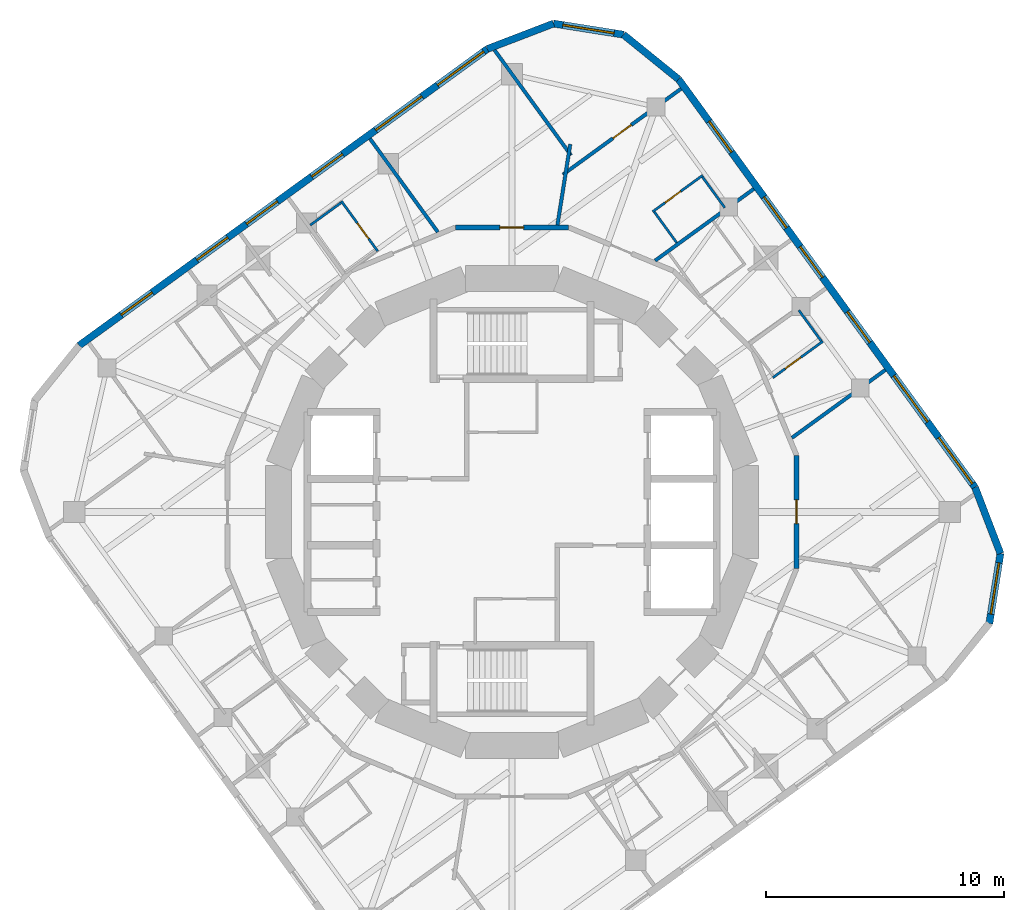
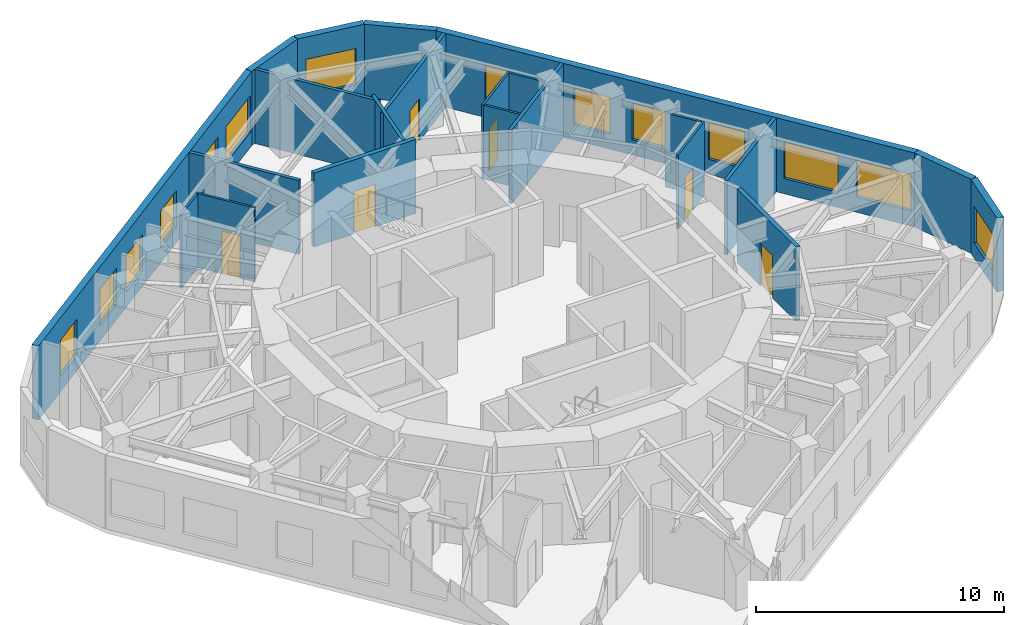
# One storey, part 7 of 9: 22 walls, 14 windows, 6 doors, 20 openings.
"""IFC4 building model written with IfcOpenShell, lengths in metres."""

from ifc_helpers import new_model, si_unit, direction, frame, frame_2d, origin, place, context, subcontext, project, spatial, rectangle, extrude, material, layer, layer_set, type_object, element, fill, save


model = new_model("IFC4")

# Units and contexts
model_context = context("Model", 3, precision=1e-05, world=origin(), true_north=direction((0.0, 1.0)))
body_context = subcontext(model_context, "Body", "Model", "MODEL_VIEW")
ifc_project = project(units=[si_unit("LENGTHUNIT", "METRE"), si_unit("AREAUNIT", "SQUARE_METRE"), si_unit("VOLUMEUNIT", "CUBIC_METRE"), si_unit("PLANEANGLEUNIT", "RADIAN"), si_unit("MASSUNIT", "GRAM", prefix="KILO")], contexts=[model_context])

# Site, building, storey
site_placement = place(None, origin())
site = spatial("IfcSite", under=ifc_project, at=site_placement, CompositionType="ELEMENT")
building_placement = place(site_placement, origin())
building = spatial("IfcBuilding", under=site, at=building_placement, Name="Nakasero Lantern House", CompositionType="ELEMENT")
storey_placement = place(building_placement, frame((0.0, 0.0, 267.60009765625)))
storey = spatial("IfcBuildingStorey", under=building, at=storey_placement, Name="L65", CompositionType="ELEMENT", Elevation=267.60009765625)

# Wall, opening, door
ifc_material_1 = material(Name="Blockwork", Category="masonry")
ifc_layer_1 = layer(ifc_material_1, 0.199951171875)
ifc_layer_set_1 = layer_set([ifc_layer_1], Name="Corridor wall 200")
wall_type_1 = type_object("IfcWallType", Name="Corridor wall 200", PredefinedType="PARTITIONING", material=ifc_layer_set_1)
wall_1_placement = place(storey_placement, frame((11.957763671875, 2.378662109375, 0.0), z_axis=(0.0, 0.0, 1.0), x_axis=(0.0, -1.0, 0.0)))
wall_1 = element("IfcWall", 1, at=wall_1_placement, inside=storey, type_object=wall_type_1, Name="Corridor wall L65 RC00a", PredefinedType="PARTITIONING", context=body_context, shape_type="SweptSolid", body=[
    extrude(rectangle(XDim=4.75732421875, YDim=0.199951171875, at=frame_2d((2.378662109375, 0.0))), origin(), (0.0, 0.0, 1.0), 3.64990234375),
])
opening_1_placement = place(wall_1_placement, frame((1.8701171875, 0.0, 0.0)))
opening_1 = element("IfcOpeningElement", 2, at=opening_1_placement, cuts=wall_1, Name="Opening D03", PredefinedType="OPENING", context=body_context, shape_type="SweptSolid", body=[
    extrude(rectangle(XDim=1.0, YDim=2.10009765625, at=frame_2d((0.5, 1.050048828125))), frame((0.0, 0.119873046875, 0.0), z_axis=(0.0, -1.0, 0.0), x_axis=(1.0, 0.0, 0.0)), (0.0, 0.0, 1.0), 0.239990234375),
])
ifc_material_2 = material(Name="Timber C24", Category="wood")
door_type_1 = type_object("IfcDoorType", Name="Lounge door FD30S 1000", OperationType="SINGLE_SWING_LEFT", PredefinedType="DOOR", material=ifc_material_2)
door_1_placement = place(opening_1_placement, origin())
door_1 = element("IfcDoor", 3, at=door_1_placement, inside=storey, type_object=door_type_1, Name="Door L65 DK0", OperationType="SINGLE_SWING_LEFT", OverallHeight=2.10009765625, OverallWidth=1.0, PredefinedType="DOOR", context=body_context, shape_type="SweptSolid", body=[
    extrude(rectangle(XDim=1.0, YDim=2.10009765625, at=frame_2d((0.5, 1.050048828125))), frame((0.0, 0.02490234375, 0.0), z_axis=(0.0, -1.0, 0.0), x_axis=(1.0, 0.0, 0.0)), (0.0, 0.0, 1.0), 0.050048828125),
])
fill(opening_1, door_1)

wall_2_placement = place(storey_placement, frame((-2.378662109375, 11.957763671875, 0.0), z_axis=(0.0, 0.0, 1.0), x_axis=(1.0, 0.0, 0.0)))
wall_2 = element("IfcWall", 4, at=wall_2_placement, inside=storey, type_object=wall_type_1, Name="Corridor wall L65 RC12a", PredefinedType="PARTITIONING", context=body_context, shape_type="SweptSolid", body=[
    extrude(rectangle(XDim=4.75732421875, YDim=0.199951171875, at=frame_2d((2.378662109375, 0.0))), origin(), (0.0, 0.0, 1.0), 3.64990234375),
])
opening_2_placement = place(wall_2_placement, frame((1.8701171875, 0.0, 0.0)))
opening_2 = element("IfcOpeningElement", 5, at=opening_2_placement, cuts=wall_2, Name="Opening D03", PredefinedType="OPENING", context=body_context, shape_type="SweptSolid", body=[
    extrude(rectangle(XDim=1.0, YDim=2.10009765625, at=frame_2d((0.5, 1.050048828125))), frame((0.0, 0.119873046875, 0.0), z_axis=(0.0, -1.0, 0.0), x_axis=(1.0, 0.0, 0.0)), (0.0, 0.0, 1.0), 0.239990234375),
])
door_2_placement = place(opening_2_placement, origin())
door_2 = element("IfcDoor", 6, at=door_2_placement, inside=storey, type_object=door_type_1, Name="Door L65 DK1", OperationType="SINGLE_SWING_LEFT", OverallHeight=2.10009765625, OverallWidth=1.0, PredefinedType="DOOR", context=body_context, shape_type="SweptSolid", body=[
    extrude(rectangle(XDim=1.0, YDim=2.10009765625, at=frame_2d((0.5, 1.050048828125))), frame((0.0, 0.02490234375, 0.0), z_axis=(0.0, -1.0, 0.0), x_axis=(1.0, 0.0, 0.0)), (0.0, 0.0, 1.0), 0.050048828125),
])
fill(opening_2, door_2)

ifc_material_3 = material(Name="Blockwork", Category="masonry")
ifc_layer_2 = layer(ifc_material_3, 0.10009765625)
ifc_layer_set_2 = layer_set([ifc_layer_2], Name="En-suite wall 100")
wall_type_2 = type_object("IfcWallType", Name="En-suite wall 100", PredefinedType="PARTITIONING", material=ifc_layer_set_2)
wall_3_placement = place(storey_placement, frame((10.960693359375, 5.643798828125, 0.0), z_axis=(0.0, 0.0, 1.0), x_axis=(0.80902431253, 0.587775179585, 0.0)))
wall_3 = element("IfcWall", 7, at=wall_3_placement, inside=storey, type_object=wall_type_2, Name="En-suite wall L65 ES0-03", PredefinedType="PARTITIONING", context=body_context, shape_type="SweptSolid", body=[
    extrude(rectangle(XDim=2.599853515625, YDim=0.10009765625, at=frame_2d((1.2998046875, 0.0))), origin(), (0.0, 0.0, 1.0), 3.64990234375),
])
opening_3_placement = place(wall_3_placement, frame((0.64990234375, 0.0, 0.0)))
opening_3 = element("IfcOpeningElement", 8, at=opening_3_placement, cuts=wall_3, Name="Opening D02", PredefinedType="OPENING", context=body_context, shape_type="SweptSolid", body=[
    extrude(rectangle(XDim=0.800048828125, YDim=2.10009765625, at=frame_2d((0.39990234375, 1.050048828125))), frame((0.0, 0.070068359375, 0.0), z_axis=(0.0, -1.0, 0.0), x_axis=(1.0, 0.0, 0.0)), (0.0, 0.0, 1.0), 0.14013671875),
])
ifc_material_4 = material(Name="Timber C24", Category="wood")
door_type_2 = type_object("IfcDoorType", Name="En-suite door 800", OperationType="SINGLE_SWING_RIGHT", PredefinedType="DOOR", material=ifc_material_4)
door_3_placement = place(opening_3_placement, origin())
door_3 = element("IfcDoor", 9, at=door_3_placement, inside=storey, type_object=door_type_2, Name="Door L65 DE0-03", OperationType="SINGLE_SWING_LEFT", OverallHeight=2.10009765625, OverallWidth=0.800048828125, PredefinedType="DOOR", context=body_context, shape_type="SweptSolid", body=[
    extrude(rectangle(XDim=0.800048828125, YDim=2.10009765625, at=frame_2d((0.39990234375, 1.050048828125))), frame((0.0, 0.02490234375, 0.0), z_axis=(0.0, -1.0, 0.0), x_axis=(1.0, 0.0, 0.0)), (0.0, 0.0, 1.0), 0.050048828125),
])
fill(opening_3, door_3)

# Wall
wall_4_placement = place(storey_placement, frame((12.994140625, 7.18310546875, 0.0), z_axis=(0.0, 0.0, 1.0), x_axis=(-0.587772420479, 0.809026317077, 0.0)))
element("IfcWall", 10, at=wall_4_placement, inside=storey, type_object=wall_type_2, Name="En-suite wall L65 EE0-03", PredefinedType="PARTITIONING", context=body_context, shape_type="SweptSolid", body=[
    extrude(rectangle(XDim=1.60009765625, YDim=0.10009765625, at=frame_2d((0.800048828125, 0.0))), origin(), (0.0, 0.0, 1.0), 3.64990234375),
])

# Wall, opening, door
wall_5_placement = place(storey_placement, frame((5.91162109375, 12.619384765625, 0.0), z_axis=(0.0, 0.0, 1.0), x_axis=(0.809056752413, 0.587730526155, 0.0)))
wall_5 = element("IfcWall", 11, at=wall_5_placement, inside=storey, type_object=wall_type_2, Name="En-suite wall L65 ES0-06", PredefinedType="PARTITIONING", context=body_context, shape_type="SweptSolid", body=[
    extrude(rectangle(XDim=2.599853515625, YDim=0.10009765625, at=frame_2d((1.2998046875, 0.0))), origin(), (0.0, 0.0, 1.0), 3.64990234375),
])
opening_4_placement = place(wall_5_placement, frame((0.64990234375, 0.0, 0.0)))
opening_4 = element("IfcOpeningElement", 12, at=opening_4_placement, cuts=wall_5, Name="Opening D02", PredefinedType="OPENING", context=body_context, shape_type="SweptSolid", body=[
    extrude(rectangle(XDim=0.800048828125, YDim=2.10009765625, at=frame_2d((0.39990234375, 1.050048828125))), frame((0.0, 0.070068359375, 0.0), z_axis=(0.0, -1.0, 0.0), x_axis=(1.0, 0.0, 0.0)), (0.0, 0.0, 1.0), 0.14013671875),
])
door_4_placement = place(opening_4_placement, origin())
door_4 = element("IfcDoor", 13, at=door_4_placement, inside=storey, type_object=door_type_2, Name="Door L65 DE0-06", OperationType="SINGLE_SWING_LEFT", OverallHeight=2.10009765625, OverallWidth=0.800048828125, PredefinedType="DOOR", context=body_context, shape_type="SweptSolid", body=[
    extrude(rectangle(XDim=0.800048828125, YDim=2.10009765625, at=frame_2d((0.39990234375, 1.050048828125))), frame((0.0, 0.02490234375, 0.0), z_axis=(0.0, -1.0, 0.0), x_axis=(1.0, 0.0, 0.0)), (0.0, 0.0, 1.0), 0.050048828125),
])
fill(opening_4, door_4)

# Walls
for number, where, z_axis, x_axis, name in (
    (14, (8.9443359375, 12.783203125, 0.0), (0.0, 0.0, 1.0), (-0.587772420479, 0.809026317077, 0.0), "En-suite wall L65 EE0-06"),
    (15, (6.921875, 11.313720703125, 0.0), (0.0, 0.0, 1.0), (-0.587772420479, 0.809026317077, 0.0), "En-suite wall L65 EI0-06"),
):
    element("IfcWall", number, at=place(storey_placement, frame(where, z_axis=z_axis, x_axis=x_axis)), inside=storey, type_object=wall_type_2, Name=name, PredefinedType="PARTITIONING", context=body_context, shape_type="SweptSolid", body=[
        extrude(rectangle(XDim=1.60009765625, YDim=0.10009765625, at=frame_2d((0.800048828125, 0.0))), origin(), (0.0, 0.0, 1.0), 3.64990234375),
    ])

# Wall, opening, door
wall_6_placement = place(storey_placement, frame((-5.643798828125, 10.960693359375, 0.0), z_axis=(0.0, 0.0, 1.0), x_axis=(-0.587775179585, 0.80902431253, 0.0)))
wall_6 = element("IfcWall", 16, at=wall_6_placement, inside=storey, type_object=wall_type_2, Name="En-suite wall L65 ES1-03", PredefinedType="PARTITIONING", context=body_context, shape_type="SweptSolid", body=[
    extrude(rectangle(XDim=2.599853515625, YDim=0.10009765625, at=frame_2d((1.2998046875, 0.0))), origin(), (0.0, 0.0, 1.0), 3.64990234375),
])
opening_5_placement = place(wall_6_placement, frame((0.64990234375, 0.0, 0.0)))
opening_5 = element("IfcOpeningElement", 17, at=opening_5_placement, cuts=wall_6, Name="Opening D02", PredefinedType="OPENING", context=body_context, shape_type="SweptSolid", body=[
    extrude(rectangle(XDim=0.800048828125, YDim=2.10009765625, at=frame_2d((0.39990234375, 1.050048828125))), frame((0.0, 0.070068359375, 0.0), z_axis=(0.0, -1.0, 0.0), x_axis=(1.0, 0.0, 0.0)), (0.0, 0.0, 1.0), 0.14013671875),
])
door_5_placement = place(opening_5_placement, origin())
door_5 = element("IfcDoor", 18, at=door_5_placement, inside=storey, type_object=door_type_2, Name="Door L65 DE1-03", OperationType="SINGLE_SWING_LEFT", OverallHeight=2.10009765625, OverallWidth=0.800048828125, PredefinedType="DOOR", context=body_context, shape_type="SweptSolid", body=[
    extrude(rectangle(XDim=0.800048828125, YDim=2.10009765625, at=frame_2d((0.39990234375, 1.050048828125))), frame((0.0, 0.02490234375, 0.0), z_axis=(0.0, -1.0, 0.0), x_axis=(1.0, 0.0, 0.0)), (0.0, 0.0, 1.0), 0.050048828125),
])
fill(opening_5, door_5)

# Wall
wall_7_placement = place(storey_placement, frame((-7.18310546875, 12.994140625, 0.0), z_axis=(0.0, 0.0, 1.0), x_axis=(-0.809026317077, -0.587772420479, 0.0)))
element("IfcWall", 19, at=wall_7_placement, inside=storey, type_object=wall_type_2, Name="En-suite wall L65 EE1-03", PredefinedType="PARTITIONING", context=body_context, shape_type="SweptSolid", body=[
    extrude(rectangle(XDim=1.60009765625, YDim=0.10009765625, at=frame_2d((0.800048828125, 0.0))), origin(), (0.0, 0.0, 1.0), 3.64990234375),
])

# Wall, openings, windows
ifc_material_5 = material(Name="Aluminium rainscreen on blockwork", Category="masonry")
ifc_layer_3 = layer(ifc_material_5, 0.300048828125)
ifc_layer_set_3 = layer_set([ifc_layer_3], Name="Facade wall 300")
wall_type_3 = type_object("IfcWallType", Name="Facade wall 300", PredefinedType="SOLIDWALL", material=ifc_layer_set_3)
wall_8_placement = place(storey_placement, frame((19.4580078125, 1.03466796875, 0.0), z_axis=(0.0, 0.0, 1.0), x_axis=(-0.587790233451, 0.809013375328, 0.0)))
wall_8 = element("IfcWall", 20, at=wall_8_placement, inside=storey, type_object=wall_type_3, Name="Facade wall L65 FW0S", PredefinedType="SOLIDWALL", context=body_context, shape_type="SweptSolid", body=[
    extrude(rectangle(XDim=21.199951171875, YDim=0.300048828125, at=frame_2d((10.60009765625, 0.0))), origin(), (0.0, 0.0, 1.0), 3.64990234375),
])
opening_6_placement = place(wall_8_placement, frame((7.52783203125, 0.0, 0.75)))
opening_6 = element("IfcOpeningElement", 21, at=opening_6_placement, cuts=wall_8, Name="Opening W01", PredefinedType="OPENING", context=body_context, shape_type="SweptSolid", body=[
    extrude(rectangle(XDim=1.60009765625, YDim=1.800048828125, at=frame_2d((0.800048828125, 0.89990234375))), frame((0.0, 0.169921875, 0.0), z_axis=(0.0, -1.0, 0.0), x_axis=(1.0, 0.0, 0.0)), (0.0, 0.0, 1.0), 0.340087890625),
])
opening_7_placement = place(wall_8_placement, frame((10.904052734375, 0.0, 0.75)))
opening_7 = element("IfcOpeningElement", 22, at=opening_7_placement, cuts=wall_8, Name="Opening W01", PredefinedType="OPENING", context=body_context, shape_type="SweptSolid", body=[
    extrude(rectangle(XDim=1.60009765625, YDim=1.800048828125, at=frame_2d((0.800048828125, 0.89990234375))), frame((0.0, 0.169921875, 0.0), z_axis=(0.0, -1.0, 0.0), x_axis=(1.0, 0.0, 0.0)), (0.0, 0.0, 1.0), 0.340087890625),
])
opening_8_placement = place(wall_8_placement, frame((13.484619140625, 0.0, 0.75)))
opening_8 = element("IfcOpeningElement", 23, at=opening_8_placement, cuts=wall_8, Name="Opening W01", PredefinedType="OPENING", context=body_context, shape_type="SweptSolid", body=[
    extrude(rectangle(XDim=1.60009765625, YDim=1.800048828125, at=frame_2d((0.800048828125, 0.89990234375))), frame((0.0, 0.169921875, 0.0), z_axis=(0.0, -1.0, 0.0), x_axis=(1.0, 0.0, 0.0)), (0.0, 0.0, 1.0), 0.340087890625),
])
opening_9_placement = place(wall_8_placement, frame((17.410888671875, 0.0, 0.75)))
opening_9 = element("IfcOpeningElement", 24, at=opening_9_placement, cuts=wall_8, Name="Opening W01", PredefinedType="OPENING", context=body_context, shape_type="SweptSolid", body=[
    extrude(rectangle(XDim=1.60009765625, YDim=1.800048828125, at=frame_2d((0.800048828125, 0.89990234375))), frame((0.0, 0.169921875, 0.0), z_axis=(0.0, -1.0, 0.0), x_axis=(1.0, 0.0, 0.0)), (0.0, 0.0, 1.0), 0.340087890625),
])
opening_10_placement = place(wall_8_placement, frame((0.1904296875, 0.0, 0.75)))
opening_10 = element("IfcOpeningElement", 25, at=opening_10_placement, cuts=wall_8, Name="Opening W03", PredefinedType="OPENING", context=body_context, shape_type="SweptSolid", body=[
    extrude(rectangle(XDim=2.39990234375, YDim=1.800048828125, at=frame_2d((1.199951171875, 0.89990234375))), frame((0.0, 0.169921875, 0.0), z_axis=(0.0, -1.0, 0.0), x_axis=(1.0, 0.0, 0.0)), (0.0, 0.0, 1.0), 0.340087890625),
])
opening_11_placement = place(wall_8_placement, frame((3.401611328125, 0.0, 0.75)))
opening_11 = element("IfcOpeningElement", 26, at=opening_11_placement, cuts=wall_8, Name="Opening W03", PredefinedType="OPENING", context=body_context, shape_type="SweptSolid", body=[
    extrude(rectangle(XDim=2.39990234375, YDim=1.800048828125, at=frame_2d((1.199951171875, 0.89990234375))), frame((0.0, 0.169921875, 0.0), z_axis=(0.0, -1.0, 0.0), x_axis=(1.0, 0.0, 0.0)), (0.0, 0.0, 1.0), 0.340087890625),
])
ifc_material_6 = material(Name="Aluminium 6063-T6 and glass", Category="aluminium")
window_type_1 = type_object("IfcWindowType", Name="Bedroom window 1600x1800", PartitioningType="SINGLE_PANEL", PredefinedType="WINDOW", material=ifc_material_6)
window_1_placement = place(opening_6_placement, origin())
window_1 = element("IfcWindow", 27, at=window_1_placement, inside=storey, type_object=window_type_1, Name="Window L65 WN0-03", OverallHeight=1.800048828125, OverallWidth=1.60009765625, PartitioningType="SINGLE_PANEL", PredefinedType="WINDOW", context=body_context, shape_type="SweptSolid", body=[
    extrude(rectangle(XDim=1.60009765625, YDim=1.800048828125, at=frame_2d((0.800048828125, 0.89990234375))), frame((0.0, 0.030029296875, 0.0), z_axis=(0.0, -1.0, 0.0), x_axis=(1.0, 0.0, 0.0)), (0.0, 0.0, 1.0), 0.06005859375),
])
fill(opening_6, window_1)
window_2_placement = place(opening_7_placement, origin())
window_2 = element("IfcWindow", 28, at=window_2_placement, inside=storey, type_object=window_type_1, Name="Window L65 WN0-04", OverallHeight=1.800048828125, OverallWidth=1.60009765625, PartitioningType="SINGLE_PANEL", PredefinedType="WINDOW", context=body_context, shape_type="SweptSolid", body=[
    extrude(rectangle(XDim=1.60009765625, YDim=1.800048828125, at=frame_2d((0.800048828125, 0.89990234375))), frame((0.0, 0.030029296875, 0.0), z_axis=(0.0, -1.0, 0.0), x_axis=(1.0, 0.0, 0.0)), (0.0, 0.0, 1.0), 0.06005859375),
])
fill(opening_7, window_2)
window_3_placement = place(opening_8_placement, origin())
window_3 = element("IfcWindow", 29, at=window_3_placement, inside=storey, type_object=window_type_1, Name="Window L65 WN0-05", OverallHeight=1.800048828125, OverallWidth=1.60009765625, PartitioningType="SINGLE_PANEL", PredefinedType="WINDOW", context=body_context, shape_type="SweptSolid", body=[
    extrude(rectangle(XDim=1.60009765625, YDim=1.800048828125, at=frame_2d((0.800048828125, 0.89990234375))), frame((0.0, 0.030029296875, 0.0), z_axis=(0.0, -1.0, 0.0), x_axis=(1.0, 0.0, 0.0)), (0.0, 0.0, 1.0), 0.06005859375),
])
fill(opening_8, window_3)
window_4_placement = place(opening_9_placement, origin())
window_4 = element("IfcWindow", 30, at=window_4_placement, inside=storey, type_object=window_type_1, Name="Window L65 WN0-06", OverallHeight=1.800048828125, OverallWidth=1.60009765625, PartitioningType="SINGLE_PANEL", PredefinedType="WINDOW", context=body_context, shape_type="SweptSolid", body=[
    extrude(rectangle(XDim=1.60009765625, YDim=1.800048828125, at=frame_2d((0.800048828125, 0.89990234375))), frame((0.0, 0.030029296875, 0.0), z_axis=(0.0, -1.0, 0.0), x_axis=(1.0, 0.0, 0.0)), (0.0, 0.0, 1.0), 0.06005859375),
])
fill(opening_9, window_4)
ifc_material_7 = material(Name="Aluminium 6063-T6 and glass", Category="aluminium")
window_type_2 = type_object("IfcWindowType", Name="Lounge window 2400x1800", PartitioningType="SINGLE_PANEL", PredefinedType="WINDOW", material=ifc_material_7)
window_5_placement = place(opening_10_placement, origin())
window_5 = element("IfcWindow", 31, at=window_5_placement, inside=storey, type_object=window_type_2, Name="Window L65 WK0", OverallHeight=1.800048828125, OverallWidth=2.39990234375, PartitioningType="SINGLE_PANEL", PredefinedType="WINDOW", context=body_context, shape_type="SweptSolid", body=[
    extrude(rectangle(XDim=2.39990234375, YDim=1.800048828125, at=frame_2d((1.199951171875, 0.89990234375))), frame((0.0, 0.030029296875, 0.0), z_axis=(0.0, -1.0, 0.0), x_axis=(1.0, 0.0, 0.0)), (0.0, 0.0, 1.0), 0.06005859375),
])
fill(opening_10, window_5)
window_6_placement = place(opening_11_placement, origin())
window_6 = element("IfcWindow", 32, at=window_6_placement, inside=storey, type_object=window_type_2, Name="Window L65 WL0", OverallHeight=1.800048828125, OverallWidth=2.39990234375, PartitioningType="SINGLE_PANEL", PredefinedType="WINDOW", context=body_context, shape_type="SweptSolid", body=[
    extrude(rectangle(XDim=2.39990234375, YDim=1.800048828125, at=frame_2d((1.199951171875, 0.89990234375))), frame((0.0, 0.030029296875, 0.0), z_axis=(0.0, -1.0, 0.0), x_axis=(1.0, 0.0, 0.0)), (0.0, 0.0, 1.0), 0.06005859375),
])
fill(opening_11, window_6)

# Wall
wall_9_placement = place(storey_placement, frame((6.996826171875, 18.185791015625, 0.0), z_axis=(0.0, 0.0, 1.0), x_axis=(-0.777101588319, 0.629375183362, 0.0)))
element("IfcWall", 33, at=wall_9_placement, inside=storey, type_object=wall_type_3, Name="Facade wall L65 FW0C1", PredefinedType="SOLIDWALL", context=body_context, shape_type="SweptSolid", body=[
    extrude(rectangle(XDim=2.976318359375, YDim=0.300048828125, at=frame_2d((1.48828125, 0.0))), origin(), (0.0, 0.0, 1.0), 3.64990234375),
])

# Wall, opening, window
wall_10_placement = place(storey_placement, frame((4.683837890625, 20.05908203125, 0.0), z_axis=(0.0, 0.0, 1.0), x_axis=(-0.987691704133, 0.156413227021, 0.0)))
wall_10 = element("IfcWall", 34, at=wall_10_placement, inside=storey, type_object=wall_type_3, Name="Facade wall L65 FW0C2", PredefinedType="SOLIDWALL", context=body_context, shape_type="SweptSolid", body=[
    extrude(rectangle(XDim=2.9765625, YDim=0.300048828125, at=frame_2d((1.48828125, 0.0))), origin(), (0.0, 0.0, 1.0), 3.64990234375),
])
opening_12_placement = place(wall_10_placement, frame((0.39990234375, 0.0, 0.75)))
opening_12 = element("IfcOpeningElement", 35, at=opening_12_placement, cuts=wall_10, Name="Opening W221", PredefinedType="OPENING", context=body_context, shape_type="SweptSolid", body=[
    extrude(rectangle(XDim=2.176025390625, YDim=1.800048828125, at=frame_2d((1.087890625, 0.89990234375))), frame((0.0, 0.169921875, 0.0), z_axis=(0.0, -1.0, 0.0), x_axis=(1.0, 0.0, 0.0)), (0.0, 0.0, 1.0), 0.340087890625),
])
ifc_material_8 = material(Name="Aluminium 6063-T6 and glass", Category="aluminium")
window_type_3 = type_object("IfcWindowType", Name="Corner window 2176x1800", PartitioningType="SINGLE_PANEL", PredefinedType="WINDOW", material=ifc_material_8)
window_7_placement = place(opening_12_placement, origin())
window_7 = element("IfcWindow", 36, at=window_7_placement, inside=storey, type_object=window_type_3, Name="Window L65 WC0", OverallHeight=1.800048828125, OverallWidth=2.176025390625, PartitioningType="SINGLE_PANEL", PredefinedType="WINDOW", context=body_context, shape_type="SweptSolid", body=[
    extrude(rectangle(XDim=2.176025390625, YDim=1.800048828125, at=frame_2d((1.087890625, 0.89990234375))), frame((0.0, 0.030029296875, 0.0), z_axis=(0.0, -1.0, 0.0), x_axis=(1.0, 0.0, 0.0)), (0.0, 0.0, 1.0), 0.06005859375),
])
fill(opening_12, window_7)

# Wall
wall_11_placement = place(storey_placement, frame((1.743896484375, 20.524658203125, 0.0), z_axis=(0.0, 0.0, 1.0), x_axis=(-0.933573745966, -0.35838535244, 0.0)))
element("IfcWall", 37, at=wall_11_placement, inside=storey, type_object=wall_type_3, Name="Facade wall L65 FW0C3", PredefinedType="SOLIDWALL", context=body_context, shape_type="SweptSolid", body=[
    extrude(rectangle(XDim=2.976318359375, YDim=0.300048828125, at=frame_2d((1.48828125, 0.0))), origin(), (0.0, 0.0, 1.0), 3.64990234375),
])

# Wall, openings, windows
wall_12_placement = place(storey_placement, frame((-1.03466796875, 19.4580078125, 0.0), z_axis=(0.0, 0.0, 1.0), x_axis=(-0.809013375328, -0.587790233451, 0.0)))
wall_12 = element("IfcWall", 38, at=wall_12_placement, inside=storey, type_object=wall_type_3, Name="Facade wall L65 FW1S", PredefinedType="SOLIDWALL", context=body_context, shape_type="SweptSolid", body=[
    extrude(rectangle(XDim=21.199951171875, YDim=0.300048828125, at=frame_2d((10.60009765625, 0.0))), origin(), (0.0, 0.0, 1.0), 3.64990234375),
])
opening_13_placement = place(wall_12_placement, frame((7.52783203125, 0.0, 0.75)))
opening_13 = element("IfcOpeningElement", 39, at=opening_13_placement, cuts=wall_12, Name="Opening W01", PredefinedType="OPENING", context=body_context, shape_type="SweptSolid", body=[
    extrude(rectangle(XDim=1.60009765625, YDim=1.800048828125, at=frame_2d((0.800048828125, 0.89990234375))), frame((0.0, 0.169921875, 0.0), z_axis=(0.0, -1.0, 0.0), x_axis=(1.0, 0.0, 0.0)), (0.0, 0.0, 1.0), 0.340087890625),
])
opening_14_placement = place(wall_12_placement, frame((10.904052734375, 0.0, 0.75)))
opening_14 = element("IfcOpeningElement", 40, at=opening_14_placement, cuts=wall_12, Name="Opening W01", PredefinedType="OPENING", context=body_context, shape_type="SweptSolid", body=[
    extrude(rectangle(XDim=1.60009765625, YDim=1.800048828125, at=frame_2d((0.800048828125, 0.89990234375))), frame((0.0, 0.169921875, 0.0), z_axis=(0.0, -1.0, 0.0), x_axis=(1.0, 0.0, 0.0)), (0.0, 0.0, 1.0), 0.340087890625),
])
opening_15_placement = place(wall_12_placement, frame((13.484619140625, 0.0, 0.75)))
opening_15 = element("IfcOpeningElement", 41, at=opening_15_placement, cuts=wall_12, Name="Opening W01", PredefinedType="OPENING", context=body_context, shape_type="SweptSolid", body=[
    extrude(rectangle(XDim=1.60009765625, YDim=1.800048828125, at=frame_2d((0.800048828125, 0.89990234375))), frame((0.0, 0.169921875, 0.0), z_axis=(0.0, -1.0, 0.0), x_axis=(1.0, 0.0, 0.0)), (0.0, 0.0, 1.0), 0.340087890625),
])
opening_16_placement = place(wall_12_placement, frame((17.410888671875, 0.0, 0.75)))
opening_16 = element("IfcOpeningElement", 42, at=opening_16_placement, cuts=wall_12, Name="Opening W01", PredefinedType="OPENING", context=body_context, shape_type="SweptSolid", body=[
    extrude(rectangle(XDim=1.60009765625, YDim=1.800048828125, at=frame_2d((0.800048828125, 0.89990234375))), frame((0.0, 0.169921875, 0.0), z_axis=(0.0, -1.0, 0.0), x_axis=(1.0, 0.0, 0.0)), (0.0, 0.0, 1.0), 0.340087890625),
])
opening_17_placement = place(wall_12_placement, frame((0.1904296875, 0.0, 0.75)))
opening_17 = element("IfcOpeningElement", 43, at=opening_17_placement, cuts=wall_12, Name="Opening W03", PredefinedType="OPENING", context=body_context, shape_type="SweptSolid", body=[
    extrude(rectangle(XDim=2.39990234375, YDim=1.800048828125, at=frame_2d((1.199951171875, 0.89990234375))), frame((0.0, 0.169921875, 0.0), z_axis=(0.0, -1.0, 0.0), x_axis=(1.0, 0.0, 0.0)), (0.0, 0.0, 1.0), 0.340087890625),
])
opening_18_placement = place(wall_12_placement, frame((3.401611328125, 0.0, 0.75)))
opening_18 = element("IfcOpeningElement", 44, at=opening_18_placement, cuts=wall_12, Name="Opening W03", PredefinedType="OPENING", context=body_context, shape_type="SweptSolid", body=[
    extrude(rectangle(XDim=2.39990234375, YDim=1.800048828125, at=frame_2d((1.199951171875, 0.89990234375))), frame((0.0, 0.169921875, 0.0), z_axis=(0.0, -1.0, 0.0), x_axis=(1.0, 0.0, 0.0)), (0.0, 0.0, 1.0), 0.340087890625),
])
window_8_placement = place(opening_13_placement, origin())
window_8 = element("IfcWindow", 45, at=window_8_placement, inside=storey, type_object=window_type_1, Name="Window L65 WN1-03", OverallHeight=1.800048828125, OverallWidth=1.60009765625, PartitioningType="SINGLE_PANEL", PredefinedType="WINDOW", context=body_context, shape_type="SweptSolid", body=[
    extrude(rectangle(XDim=1.60009765625, YDim=1.800048828125, at=frame_2d((0.800048828125, 0.89990234375))), frame((0.0, 0.030029296875, 0.0), z_axis=(0.0, -1.0, 0.0), x_axis=(1.0, 0.0, 0.0)), (0.0, 0.0, 1.0), 0.06005859375),
])
fill(opening_13, window_8)
window_9_placement = place(opening_14_placement, origin())
window_9 = element("IfcWindow", 46, at=window_9_placement, inside=storey, type_object=window_type_1, Name="Window L65 WN1-04", OverallHeight=1.800048828125, OverallWidth=1.60009765625, PartitioningType="SINGLE_PANEL", PredefinedType="WINDOW", context=body_context, shape_type="SweptSolid", body=[
    extrude(rectangle(XDim=1.60009765625, YDim=1.800048828125, at=frame_2d((0.800048828125, 0.89990234375))), frame((0.0, 0.030029296875, 0.0), z_axis=(0.0, -1.0, 0.0), x_axis=(1.0, 0.0, 0.0)), (0.0, 0.0, 1.0), 0.06005859375),
])
fill(opening_14, window_9)
window_10_placement = place(opening_15_placement, origin())
window_10 = element("IfcWindow", 47, at=window_10_placement, inside=storey, type_object=window_type_1, Name="Window L65 WN1-05", OverallHeight=1.800048828125, OverallWidth=1.60009765625, PartitioningType="SINGLE_PANEL", PredefinedType="WINDOW", context=body_context, shape_type="SweptSolid", body=[
    extrude(rectangle(XDim=1.60009765625, YDim=1.800048828125, at=frame_2d((0.800048828125, 0.89990234375))), frame((0.0, 0.030029296875, 0.0), z_axis=(0.0, -1.0, 0.0), x_axis=(1.0, 0.0, 0.0)), (0.0, 0.0, 1.0), 0.06005859375),
])
fill(opening_15, window_10)
window_11_placement = place(opening_16_placement, origin())
window_11 = element("IfcWindow", 48, at=window_11_placement, inside=storey, type_object=window_type_1, Name="Window L65 WN1-06", OverallHeight=1.800048828125, OverallWidth=1.60009765625, PartitioningType="SINGLE_PANEL", PredefinedType="WINDOW", context=body_context, shape_type="SweptSolid", body=[
    extrude(rectangle(XDim=1.60009765625, YDim=1.800048828125, at=frame_2d((0.800048828125, 0.89990234375))), frame((0.0, 0.030029296875, 0.0), z_axis=(0.0, -1.0, 0.0), x_axis=(1.0, 0.0, 0.0)), (0.0, 0.0, 1.0), 0.06005859375),
])
fill(opening_16, window_11)
window_12_placement = place(opening_17_placement, origin())
window_12 = element("IfcWindow", 49, at=window_12_placement, inside=storey, type_object=window_type_2, Name="Window L65 WK1", OverallHeight=1.800048828125, OverallWidth=2.39990234375, PartitioningType="SINGLE_PANEL", PredefinedType="WINDOW", context=body_context, shape_type="SweptSolid", body=[
    extrude(rectangle(XDim=2.39990234375, YDim=1.800048828125, at=frame_2d((1.199951171875, 0.89990234375))), frame((0.0, 0.030029296875, 0.0), z_axis=(0.0, -1.0, 0.0), x_axis=(1.0, 0.0, 0.0)), (0.0, 0.0, 1.0), 0.06005859375),
])
fill(opening_17, window_12)
window_13_placement = place(opening_18_placement, origin())
window_13 = element("IfcWindow", 50, at=window_13_placement, inside=storey, type_object=window_type_2, Name="Window L65 WL1", OverallHeight=1.800048828125, OverallWidth=2.39990234375, PartitioningType="SINGLE_PANEL", PredefinedType="WINDOW", context=body_context, shape_type="SweptSolid", body=[
    extrude(rectangle(XDim=2.39990234375, YDim=1.800048828125, at=frame_2d((1.199951171875, 0.89990234375))), frame((0.0, 0.030029296875, 0.0), z_axis=(0.0, -1.0, 0.0), x_axis=(1.0, 0.0, 0.0)), (0.0, 0.0, 1.0), 0.06005859375),
])
fill(opening_18, window_13)

# Wall, opening, window
wall_13_placement = place(storey_placement, frame((20.05908203125, -4.683837890625, 0.0), z_axis=(0.0, 0.0, 1.0), x_axis=(0.156413227021, 0.987691704133, 0.0)))
wall_13 = element("IfcWall", 51, at=wall_13_placement, inside=storey, type_object=wall_type_3, Name="Facade wall L65 FW3C2", PredefinedType="SOLIDWALL", context=body_context, shape_type="SweptSolid", body=[
    extrude(rectangle(XDim=2.9765625, YDim=0.300048828125, at=frame_2d((1.48828125, 0.0))), origin(), (0.0, 0.0, 1.0), 3.64990234375),
])
opening_19_placement = place(wall_13_placement, frame((0.39990234375, 0.0, 0.75)))
opening_19 = element("IfcOpeningElement", 52, at=opening_19_placement, cuts=wall_13, Name="Opening W221", PredefinedType="OPENING", context=body_context, shape_type="SweptSolid", body=[
    extrude(rectangle(XDim=2.176025390625, YDim=1.800048828125, at=frame_2d((1.087890625, 0.89990234375))), frame((0.0, 0.169921875, 0.0), z_axis=(0.0, -1.0, 0.0), x_axis=(1.0, 0.0, 0.0)), (0.0, 0.0, 1.0), 0.340087890625),
])
window_14_placement = place(opening_19_placement, origin())
window_14 = element("IfcWindow", 53, at=window_14_placement, inside=storey, type_object=window_type_3, Name="Window L65 WC3", OverallHeight=1.800048828125, OverallWidth=2.176025390625, PartitioningType="SINGLE_PANEL", PredefinedType="WINDOW", context=body_context, shape_type="SweptSolid", body=[
    extrude(rectangle(XDim=2.176025390625, YDim=1.800048828125, at=frame_2d((1.087890625, 0.89990234375))), frame((0.0, 0.030029296875, 0.0), z_axis=(0.0, -1.0, 0.0), x_axis=(1.0, 0.0, 0.0)), (0.0, 0.0, 1.0), 0.06005859375),
])
fill(opening_19, window_14)

# Walls
wall_14_placement = place(storey_placement, frame((20.524658203125, -1.743896484375, 0.0), z_axis=(0.0, 0.0, 1.0), x_axis=(-0.35838535244, 0.933573745966, 0.0)))
element("IfcWall", 54, at=wall_14_placement, inside=storey, type_object=wall_type_3, Name="Facade wall L65 FW3C3", PredefinedType="SOLIDWALL", context=body_context, shape_type="SweptSolid", body=[
    extrude(rectangle(XDim=2.976318359375, YDim=0.300048828125, at=frame_2d((1.48828125, 0.0))), origin(), (0.0, 0.0, 1.0), 3.64990234375),
])
ifc_material_9 = material(Name="Blockwork", Category="masonry")
ifc_layer_4 = layer(ifc_material_9, 0.14990234375)
ifc_layer_set_4 = layer_set([ifc_layer_4], Name="Party wall 150")
wall_type_4 = type_object("IfcWallType", Name="Party wall 150", PredefinedType="PARTITIONING", material=ifc_layer_set_4)
wall_15_placement = place(storey_placement, frame((11.760986328125, 3.114990234375, 0.0), z_axis=(0.0, 0.0, 1.0), x_axis=(0.809020895183, 0.587779883253, 0.0)))
element("IfcWall", 55, at=wall_15_placement, inside=storey, type_object=wall_type_4, Name="Party wall L65 PW0-03", PredefinedType="PARTITIONING", context=body_context, shape_type="SweptSolid", body=[
    extrude(rectangle(XDim=4.854248046875, YDim=0.14990234375, at=frame_2d((2.42724609375, 0.0))), origin(), (0.0, 0.0, 1.0), 3.64990234375),
])
wall_16_placement = place(storey_placement, frame((6.012939453125, 10.560791015625, 0.0), z_axis=(0.0, 0.0, 1.0), x_axis=(0.809020100005, 0.587780977736, 0.0)))
element("IfcWall", 56, at=wall_16_placement, inside=storey, type_object=wall_type_4, Name="Party wall L65 PW0-06", PredefinedType="PARTITIONING", context=body_context, shape_type="SweptSolid", body=[
    extrude(rectangle(XDim=5.1279296875, YDim=0.14990234375, at=frame_2d((2.56396484375, 0.0))), origin(), (0.0, 0.0, 1.0), 3.64990234375),
])

# Wall, opening, door
wall_17_placement = place(storey_placement, frame((2.137939453125, 14.1767578125, 0.0), z_axis=(0.0, 0.0, 1.0), x_axis=(0.809024975628, 0.587774266883, 0.0)))
wall_17 = element("IfcWall", 57, at=wall_17_placement, inside=storey, type_object=wall_type_4, Name="Party wall L65 PW0-07", PredefinedType="PARTITIONING", context=body_context, shape_type="SweptSolid", body=[
    extrude(rectangle(XDim=6.137451171875, YDim=0.14990234375, at=frame_2d((3.06884765625, 0.0))), origin(), (0.0, 0.0, 1.0), 3.64990234375),
])
opening_20_placement = place(wall_17_placement, frame((2.60009765625, 0.0, 0.0)))
opening_20 = element("IfcOpeningElement", 58, at=opening_20_placement, cuts=wall_17, Name="Opening D01", PredefinedType="OPENING", context=body_context, shape_type="SweptSolid", body=[
    extrude(rectangle(XDim=0.949951171875, YDim=2.10009765625, at=frame_2d((0.47509765625, 1.050048828125))), frame((0.0, 0.094970703125, 0.0), z_axis=(0.0, -1.0, 0.0), x_axis=(1.0, 0.0, 0.0)), (0.0, 0.0, 1.0), 0.18994140625),
])
ifc_material_10 = material(Name="Timber C24", Category="wood")
door_type_3 = type_object("IfcDoorType", Name="Bedroom door FD30S 950", OperationType="SINGLE_SWING_LEFT", PredefinedType="DOOR", material=ifc_material_10)
door_6_placement = place(opening_20_placement, origin())
door_6 = element("IfcDoor", 59, at=door_6_placement, inside=storey, type_object=door_type_3, Name="Door L65 DC0", OperationType="SINGLE_SWING_RIGHT", OverallHeight=2.10009765625, OverallWidth=0.949951171875, PredefinedType="DOOR", context=body_context, shape_type="SweptSolid", body=[
    extrude(rectangle(XDim=0.949951171875, YDim=2.10009765625, at=frame_2d((0.47509765625, 1.050048828125))), frame((0.0, 0.02490234375, 0.0), z_axis=(0.0, -1.0, 0.0), x_axis=(1.0, 0.0, 0.0)), (0.0, 0.0, 1.0), 0.050048828125),
])
fill(opening_20, door_6)

# Walls
wall_18_placement = place(storey_placement, frame((1.90966796875, 12.057861328125, 0.0), z_axis=(0.0, 0.0, 1.0), x_axis=(0.156465405864, 0.987683439553, 0.0)))
element("IfcWall", 60, at=wall_18_placement, inside=storey, type_object=wall_type_4, Name="Party wall L65 PD0", PredefinedType="PARTITIONING", context=body_context, shape_type="SweptSolid", body=[
    extrude(rectangle(XDim=3.440673828125, YDim=0.14990234375, at=frame_2d((1.72021484375, 0.0))), origin(), (0.0, 0.0, 1.0), 3.64990234375),
])
wall_19_placement = place(storey_placement, frame((2.48095703125, 14.9853515625, 0.0), z_axis=(0.0, 0.0, 1.0), x_axis=(-0.587775959987, 0.809023745549, 0.0)))
element("IfcWall", 61, at=wall_19_placement, inside=storey, type_object=wall_type_4, Name="Party wall L65 PW1-01", PredefinedType="PARTITIONING", context=body_context, shape_type="SweptSolid", body=[
    extrude(rectangle(XDim=5.466552734375, YDim=0.14990234375, at=frame_2d((2.7333984375, 0.0))), origin(), (0.0, 0.0, 1.0), 3.64990234375),
])
wall_20_placement = place(storey_placement, frame((-3.114990234375, 11.760986328125, 0.0), z_axis=(0.0, 0.0, 1.0), x_axis=(-0.587779883253, 0.809020895183, 0.0)))
element("IfcWall", 62, at=wall_20_placement, inside=storey, type_object=wall_type_4, Name="Party wall L65 PW1-03", PredefinedType="PARTITIONING", context=body_context, shape_type="SweptSolid", body=[
    extrude(rectangle(XDim=4.854248046875, YDim=0.14990234375, at=frame_2d((2.42724609375, 0.0))), origin(), (0.0, 0.0, 1.0), 3.64990234375),
])

save(model, "model.ifc")
